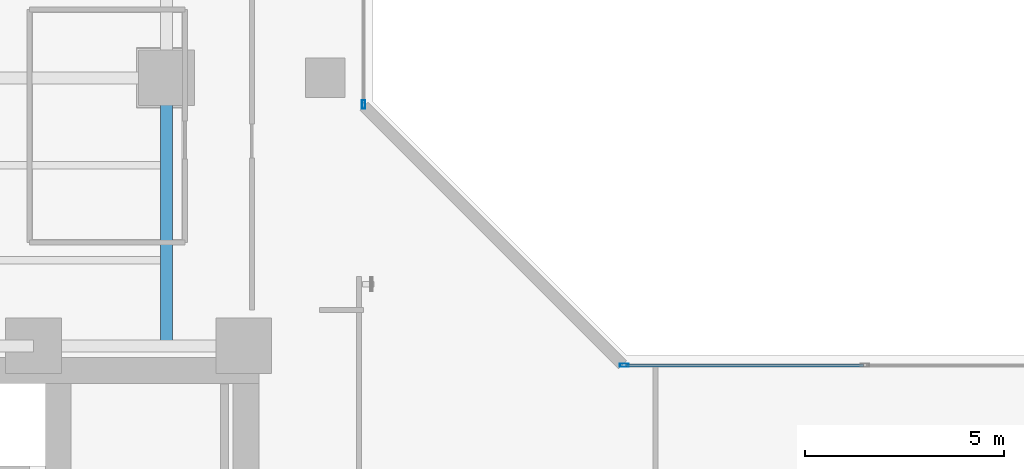
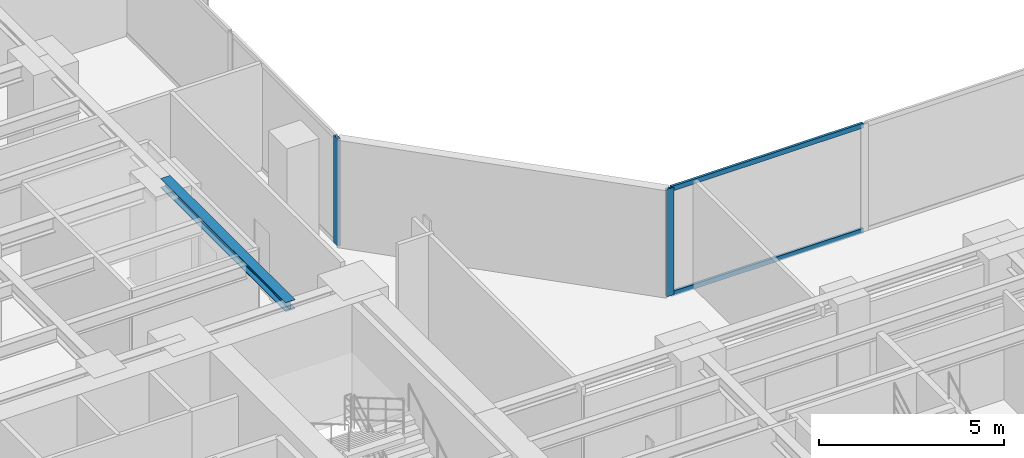
# One storey, part 10 of 29: 4 members, 1 beam, 2 elements without a shape of their own.
"""IFC4 building model written with IfcOpenShell, lengths in metres."""

import ifcopenshell
import ifcopenshell.guid

model = None  # the IFC model being written
_history = None  # IfcOwnerHistory: only IFC2X3 demands one
_inside = {}  # id of a spatial element -> (the spatial element, [elements in it])
_under = {}  # id of a project, library or spatial element -> (it, [spatial elements below it])
_declared = {}  # id of a project -> (the project, [libraries it declares])
_typed = {}  # id of a type object -> (the type object, [elements of that type])
_made_of = {}  # id of a material, layer set ... -> (it, [elements and type objects made of it])


def new_model(schema):
    """Start an empty IFC model of exactly this schema.

    Asked for "IFC4X3", IfcOpenShell would pick the latest addendum, in which some entities
    have other attributes; the version numbers below select the first issue.
    IFC2X3 requires an IfcOwnerHistory on every rooted entity: one is made here for all.
    """
    global model, _history
    if schema == "IFC4X3":
        model = ifcopenshell.file(schema_version=(4, 3, 0, 0))
    else:
        model = ifcopenshell.file(schema=schema)
    _inside.clear()
    _under.clear()
    _declared.clear()
    _typed.clear()
    _made_of.clear()
    _history = None
    if model.schema == "IFC2X3":
        org = make("IfcOrganization", Name="unknown")
        user = make(
            "IfcPersonAndOrganization",
            ThePerson=make("IfcPerson", FamilyName="unknown"),
            TheOrganization=org,
        )
        app = make(
            "IfcApplication",
            ApplicationDeveloper=org,
            Version="unknown",
            ApplicationFullName="unknown",
            ApplicationIdentifier="unknown",
        )
        _history = make(
            "IfcOwnerHistory",
            OwningUser=user,
            OwningApplication=app,
            ChangeAction="ADDED",
            CreationDate=0,
        )
    return model


def make(cls, **values):
    """One entity of the class cls with the attributes given. An attribute that is None is left unset."""
    return model.create_entity(
        cls, **{name: value for name, value in values.items() if value is not None}
    )


def rooted(cls, **values):
    """An entity with a GlobalId (a new one), such as an element, a storey or a relation."""
    return make(cls, GlobalId=ifcopenshell.guid.new(), OwnerHistory=_history, **values)


def si_unit(unit_type, name, prefix=None):
    """IfcSIUnit, for example si_unit("LENGTHUNIT", "METRE", prefix="MILLI")."""
    return make("IfcSIUnit", UnitType=unit_type, Prefix=prefix, Name=name)


def assignment(units):
    """IfcUnitAssignment: the units of a project."""
    return None if units is None else make("IfcUnitAssignment", Units=units)


def point(xyz):
    """IfcCartesianPoint."""
    return None if xyz is None else make("IfcCartesianPoint", Coordinates=xyz)


def direction(xyz):
    """IfcDirection."""
    return None if xyz is None else make("IfcDirection", DirectionRatios=xyz)


def frame(location, z_axis=None, x_axis=None):
    """IfcAxis2Placement3D, a coordinate frame: its origin and axes. An axis left out is left unset."""
    return make(
        "IfcAxis2Placement3D",
        Location=point(location),
        Axis=direction(z_axis),
        RefDirection=direction(x_axis),
    )


def frame_2d(location, x_axis=None):
    """IfcAxis2Placement2D, a coordinate frame in the plane: its origin and x axis."""
    return make(
        "IfcAxis2Placement2D", Location=point(location), RefDirection=direction(x_axis)
    )


def origin():
    """The frame at (0, 0, 0) with its axes left unset."""
    return frame((0.0, 0.0, 0.0))


def origin_with_axes():
    """The frame at (0, 0, 0) with the z axis (0, 0, 1) and the x axis (1, 0, 0) written out."""
    return frame((0.0, 0.0, 0.0), z_axis=(0.0, 0.0, 1.0), x_axis=(1.0, 0.0, 0.0))


def origin_2d():
    """The frame at (0, 0) in the plane with its x axis left unset."""
    return frame_2d((0.0, 0.0))


def place(relative_to, where):
    """IfcLocalPlacement: puts the frame where relative to a parent placement (None: the world)."""
    return make(
        "IfcLocalPlacement", PlacementRelTo=relative_to, RelativePlacement=where
    )


def context(
    kind, dimensions, precision=None, world=None, true_north=None, identifier=None
):
    """IfcGeometricRepresentationContext, for example the 3D "Model" context."""
    return make(
        "IfcGeometricRepresentationContext",
        ContextIdentifier=identifier,
        ContextType=kind,
        CoordinateSpaceDimension=dimensions,
        Precision=precision,
        WorldCoordinateSystem=world,
        TrueNorth=true_north,
    )


def subcontext(parent, identifier, kind, view, scale=None):
    """IfcGeometricRepresentationSubContext, for example "Body" below "Model"."""
    return make(
        "IfcGeometricRepresentationSubContext",
        ContextIdentifier=identifier,
        ContextType=kind,
        ParentContext=parent,
        TargetScale=scale,
        TargetView=view,
    )


def project(units=None, contexts=None):
    """IfcProject with its units and contexts."""
    return rooted(
        "IfcProject",
        Name="project",
        RepresentationContexts=contexts,
        UnitsInContext=assignment(units),
    )


def spatial(cls, under=None, at=None, **own):
    """A site, building, storey or space (cls), placed at a placement, below another one or the project."""
    s = rooted(cls, ObjectPlacement=at, **own)
    if under is not None:
        _under.setdefault(under.id(), (under, []))[1].append(s)
    return s


def profile(cls, at=None, kind="AREA", **sizes):
    """A parametric profile (cls). Its sizes go by their IFC names, for example OverallWidth=200.0."""
    return make(cls, ProfileType=kind, Position=at, **sizes)


def hollow_rectangle(**sizes):
    """IfcRectangleHollowProfileDef."""
    return profile("IfcRectangleHollowProfileDef", **sizes)


def i_section(**sizes):
    """IfcIShapeProfileDef."""
    return profile("IfcIShapeProfileDef", **sizes)


def extrude(swept, where, along, depth):
    """IfcExtrudedAreaSolid: the profile swept, set in the frame where, extruded along a direction by depth."""
    return make(
        "IfcExtrudedAreaSolid",
        SweptArea=swept,
        Position=where,
        ExtrudedDirection=direction(along),
        Depth=depth,
    )


def shape(context_of_items, identifier, shape_type, items):
    """IfcShapeRepresentation: the items that make up one representation, for example the "Body"."""
    return make(
        "IfcShapeRepresentation",
        ContextOfItems=context_of_items,
        RepresentationIdentifier=identifier,
        RepresentationType=shape_type,
        Items=items,
    )


def source(mapping_origin, context_of_items, identifier, shape_type, items):
    """IfcRepresentationMap: a shape defined once, which mapped items show again and again."""
    return make(
        "IfcRepresentationMap",
        MappingOrigin=mapping_origin,
        MappedRepresentation=shape(context_of_items, identifier, shape_type, items),
    )


def transform(
    local_origin,
    x_axis=None,
    y_axis=None,
    z_axis=None,
    scale=None,
    scale2=None,
    scale3=None,
    uniform=True,
):
    """IfcCartesianTransformationOperator3D, or its non-uniform kind. x_axis, y_axis, z_axis: its Axis1, 2, 3."""
    if uniform:
        return make(
            "IfcCartesianTransformationOperator3D",
            Axis1=direction(x_axis),
            Axis2=direction(y_axis),
            LocalOrigin=point(local_origin),
            Scale=scale,
            Axis3=direction(z_axis),
        )
    return make(
        "IfcCartesianTransformationOperator3DnonUniform",
        Axis1=direction(x_axis),
        Axis2=direction(y_axis),
        LocalOrigin=point(local_origin),
        Scale=scale,
        Axis3=direction(z_axis),
        Scale2=scale2,
        Scale3=scale3,
    )


def mapped(mapping_source, mapping_target):
    """IfcMappedItem: shows the shape of a source again, moved by a transform."""
    return make(
        "IfcMappedItem", MappingSource=mapping_source, MappingTarget=mapping_target
    )


def material(Name=None, Category=None):
    """IfcMaterial."""
    return make("IfcMaterial", Name=Name, Category=Category)


def layer(
    of_material, thickness, ventilated=None, Name=None, Category=None, Priority=None
):
    """IfcMaterialLayer: one layer of a wall or slab, of a material (None: an air gap)."""
    return make(
        "IfcMaterialLayer",
        Material=of_material,
        LayerThickness=thickness,
        IsVentilated=ventilated,
        Name=Name,
        Category=Category,
        Priority=Priority,
    )


def layer_set(layers, Name=None):
    """IfcMaterialLayerSet."""
    return make("IfcMaterialLayerSet", MaterialLayers=layers, LayerSetName=Name)


def material_profile(
    of_material, cross_section, Name=None, Category=None, Priority=None
):
    """IfcMaterialProfile: a cross section and its material."""
    return make(
        "IfcMaterialProfile",
        Name=Name,
        Material=of_material,
        Profile=cross_section,
        Priority=Priority,
        Category=Category,
    )


def profile_set(profiles, Name=None, composite=None):
    """IfcMaterialProfileSet."""
    return make(
        "IfcMaterialProfileSet",
        Name=Name,
        MaterialProfiles=profiles,
        CompositeProfile=composite,
    )


def made_of(thing, what):
    """Note that an element or type object is made of a material, layer set ...; save() writes the relation."""
    if what is not None:
        _made_of.setdefault(what.id(), (what, []))[1].append(thing)
    return thing


def type_object(cls, material=None, **own):
    """A type object (cls), such as IfcWallType, which elements share."""
    return made_of(rooted(cls, **own), material)


def element(
    cls,
    number,
    at=None,
    inside=None,
    cuts=None,
    type_object=None,
    material=None,
    context=None,
    identifier="Body",
    shape_type=None,
    held_by="IfcProductDefinitionShape",
    body=None,
    shapes=None,
    **own,
):
    """One element of the class cls, such as IfcWall. Its Tag is "e" and its number.

    at: its placement. inside: the storey or other place that contains it. cuts: it is an
    opening in that element (IfcRelVoidsElement). A single representation is given by context,
    identifier, shape_type and body (its items); several are given by shapes. held_by: the class
    of the entity that holds the representations. save() writes the other relations.
    """
    e = rooted(cls, Tag="e%d" % number, ObjectPlacement=at, **own)
    if body is not None:
        shapes = [shape(context, identifier, shape_type, body)]
    if shapes is not None:
        e.Representation = make(held_by, Representations=shapes)
    if inside is not None:
        _inside.setdefault(inside.id(), (inside, []))[1].append(e)
    if cuts is not None:
        rooted(
            "IfcRelVoidsElement", RelatingBuildingElement=cuts, RelatedOpeningElement=e
        )
    if type_object is not None:
        _typed.setdefault(type_object.id(), (type_object, []))[1].append(e)
    return made_of(e, material)


def aggregate(whole, parts):
    """IfcRelAggregates: a whole, such as a stair, and the parts it consists of."""
    return rooted("IfcRelAggregates", RelatingObject=whole, RelatedObjects=parts)


def save(model, path):
    """Write the relations noted so far, then the file.

    IfcRelAggregates (storeys below a building ...), IfcRelContainedInSpatialStructure (elements
    in a storey), IfcRelDefinesByType, IfcRelAssociatesMaterial and IfcRelDeclares: one each for
    every whole, place, type object, material and project.
    """
    for whole, parts in _under.values():
        aggregate(whole, parts)
    for where, things in _inside.values():
        rooted(
            "IfcRelContainedInSpatialStructure",
            RelatedElements=things,
            RelatingStructure=where,
        )
    for kind, things in _typed.values():
        rooted("IfcRelDefinesByType", RelatedObjects=things, RelatingType=kind)
    for what, things in _made_of.values():
        rooted("IfcRelAssociatesMaterial", RelatedObjects=things, RelatingMaterial=what)
    for by, libraries in _declared.values():
        rooted("IfcRelDeclares", RelatingContext=by, RelatedDefinitions=libraries)
    model.write(path)


model = new_model("IFC4")

# Units and contexts
model_context = context("Model", 3, precision=1e-05, world=origin(), true_north=direction((0.0, 1.0)))
body_context = subcontext(model_context, "Body", "Model", "MODEL_VIEW")
ifc_project = project(units=[si_unit("LENGTHUNIT", "METRE"), si_unit("AREAUNIT", "SQUARE_METRE"), si_unit("VOLUMEUNIT", "CUBIC_METRE"), si_unit("PLANEANGLEUNIT", "RADIAN"), si_unit("MASSUNIT", "GRAM", prefix="KILO")], contexts=[model_context])

# Site, building, storey
site_placement = place(None, origin())
site = spatial("IfcSite", under=ifc_project, at=site_placement, CompositionType="ELEMENT")
building_placement = place(site_placement, origin())
building = spatial("IfcBuilding", under=site, at=building_placement, Name="Kolvaren Waterfront Exchange", CompositionType="ELEMENT")
storey_placement = place(building_placement, frame((0.0, 0.0, 129.699951171875)))
storey = spatial("IfcBuildingStorey", under=building, at=storey_placement, Name="L33", CompositionType="ELEMENT", Elevation=129.699951171875)

# Beam
ifc_material_1 = material(Name="Steel S355", Category="steel")
ifc_material_profile_1 = material_profile(ifc_material_1, i_section(OverallWidth=0.300048828125, OverallDepth=0.300048828125, WebThickness=0.010986328125, FlangeThickness=0.01904296875, FilletRadius=0.027099609375, at=origin_2d()), Name="HEB300")
ifc_profile_set_1 = profile_set([ifc_material_profile_1], Name="Steel S355")
beam_type = type_object("IfcBeamType", Name="STR-BM-HEB300", PredefinedType="SPANDREL", material=ifc_profile_set_1)
beam_placement = place(storey_placement, frame((18.800048828125, 24.449951171875, 3.39013671875), z_axis=(0.0, 1.0, 0.0), x_axis=(-1.0, 0.0, 0.0)))
element("IfcBeam", 1, at=beam_placement, inside=storey, type_object=beam_type, Name="L33 north-arm edge beam 1", PredefinedType="SPANDREL", context=body_context, shape_type="SweptSolid", body=[
    extrude(i_section(OverallWidth=0.300048828125, OverallDepth=0.300048828125, WebThickness=0.010986328125, FlangeThickness=0.01904296875, FilletRadius=0.027099609375, at=origin_2d()), origin(), (0.0, 0.0, 1.0), 6.75),
])

# Curtain wall, member
ifc_material_2 = material(Name="Anodised bronze aluminium 6063-T6", Category="aluminium")
ifc_layer = layer(ifc_material_2, 0.219970703125, Name="Anodised bronze aluminium 6063-T6")
ifc_layer_set = layer_set([ifc_layer], Name="Anodised bronze aluminium 6063-T6")
curtain_wall_type = type_object("IfcCurtainWallType", Name="ARC-CW-SYS1", PredefinedType="USERDEFINED", material=ifc_layer_set)
curtain_wall_1_placement = place(storey_placement, origin())
curtain_wall_1 = element("IfcCurtainWall", 2, at=curtain_wall_1_placement, inside=storey, type_object=curtain_wall_type, Name="L33 stick curtain wall CW1 (CW-L33-NE)", ObjectType="STICK CURTAIN WALL", PredefinedType="USERDEFINED")
ifc_material_3 = material(Name="Anodised aluminium 6063-T6", Category="aluminium")
ifc_material_profile_2 = material_profile(ifc_material_3, hollow_rectangle(XDim=0.080078125, YDim=0.219970703125, WallThickness=0.0048828125, at=origin_2d()), Name="ALU-MUL-220x80x5")
ifc_profile_set_2 = profile_set([ifc_material_profile_2], Name="Anodised aluminium 6063-T6")
member_type_1 = type_object("IfcMemberType", Name="ARC-CWM-220", PredefinedType="MULLION", material=ifc_profile_set_2)
shared_shape_1 = source(origin_with_axes(), body_context, "Body", "SweptSolid", [
    extrude(hollow_rectangle(XDim=0.080078125, YDim=0.219970703125, WallThickness=0.0048828125, at=origin_2d()), origin(), (0.0, 0.0, 1.0), 3.5400390625),
])
member_1_placement = place(storey_placement, frame((23.760009765625, 30.530029296875, 0.0), z_axis=(0.0, 0.0, 1.0), x_axis=(-1.0, 0.0, 0.0)))
member_1 = element("IfcMember", 3, at=member_1_placement, type_object=member_type_1, Name="CW1 mullion 1", PredefinedType="MULLION", context=body_context, shape_type="MappedRepresentation", body=[
    mapped(shared_shape_1, transform((0.0, 0.0, 0.0), x_axis=(1.0, 0.0, 0.0), y_axis=(0.0, 1.0, 0.0), z_axis=(0.0, 0.0, 1.0), scale=1.0)),
])
aggregate(curtain_wall_1, [member_1])

# Curtain wall, members
curtain_wall_2_placement = place(storey_placement, origin())
curtain_wall_2 = element("IfcCurtainWall", 4, at=curtain_wall_2_placement, inside=storey, type_object=curtain_wall_type, Name="L33 stick curtain wall CW1 (CW-L33-EN)", ObjectType="STICK CURTAIN WALL", PredefinedType="USERDEFINED")
member_2_placement = place(storey_placement, frame((30.330078125, 23.9599609375, 0.0), z_axis=(0.0, 0.0, 1.0), x_axis=(0.0, 1.0, 0.0)))
member_2 = element("IfcMember", 5, at=member_2_placement, type_object=member_type_1, Name="CW1 mullion 1", PredefinedType="MULLION", context=body_context, shape_type="MappedRepresentation", body=[
    mapped(shared_shape_1, transform((0.0, 0.0, 0.0), x_axis=(1.0, 0.0, 0.0), y_axis=(0.0, 1.0, 0.0), z_axis=(0.0, 0.0, 1.0), scale=1.0)),
])
ifc_material_profile_3 = material_profile(ifc_material_3, hollow_rectangle(XDim=0.074951171875, YDim=0.159912109375, WallThickness=0.00439453125, at=origin_2d()), Name="ALU-TRN-160x75x4.5")
ifc_profile_set_3 = profile_set([ifc_material_profile_3], Name="Anodised aluminium 6063-T6")
member_type_2 = type_object("IfcMemberType", Name="ARC-CWT-160", PredefinedType="USERDEFINED", material=ifc_profile_set_3)
shared_shape_2 = source(origin_with_axes(), body_context, "Body", "SweptSolid", [
    extrude(hollow_rectangle(XDim=0.074951171875, YDim=0.159912109375, WallThickness=0.00439453125, at=origin_2d()), origin(), (0.0, 0.0, 1.0), 5.982421875),
])
member_3_placement = place(storey_placement, frame((30.3701171875, 23.9599609375, 0.03759765625), z_axis=(1.0, 0.0, 0.0), x_axis=(0.0, 1.0, 0.0)))
member_3 = element("IfcMember", 6, at=member_3_placement, type_object=member_type_2, Name="CW1 transom 1.1", ObjectType="TRANSOM", PredefinedType="USERDEFINED", context=body_context, shape_type="MappedRepresentation", body=[
    mapped(shared_shape_2, transform((0.0, 0.0, 0.0), x_axis=(1.0, 0.0, 0.0), y_axis=(0.0, 1.0, 0.0), z_axis=(0.0, 0.0, 1.0), scale=1.0)),
])
member_4_placement = place(storey_placement, frame((30.3701171875, 23.9599609375, 3.50244140625), z_axis=(1.0, 0.0, 0.0), x_axis=(0.0, 1.0, 0.0)))
member_4 = element("IfcMember", 7, at=member_4_placement, type_object=member_type_2, Name="CW1 transom 1.2", ObjectType="TRANSOM", PredefinedType="USERDEFINED", context=body_context, shape_type="MappedRepresentation", body=[
    mapped(shared_shape_2, transform((0.0, 0.0, 0.0), x_axis=(1.0, 0.0, 0.0), y_axis=(0.0, 1.0, 0.0), z_axis=(0.0, 0.0, 1.0), scale=1.0)),
])
aggregate(curtain_wall_2, [member_2, member_3, member_4])

save(model, "model.ifc")
